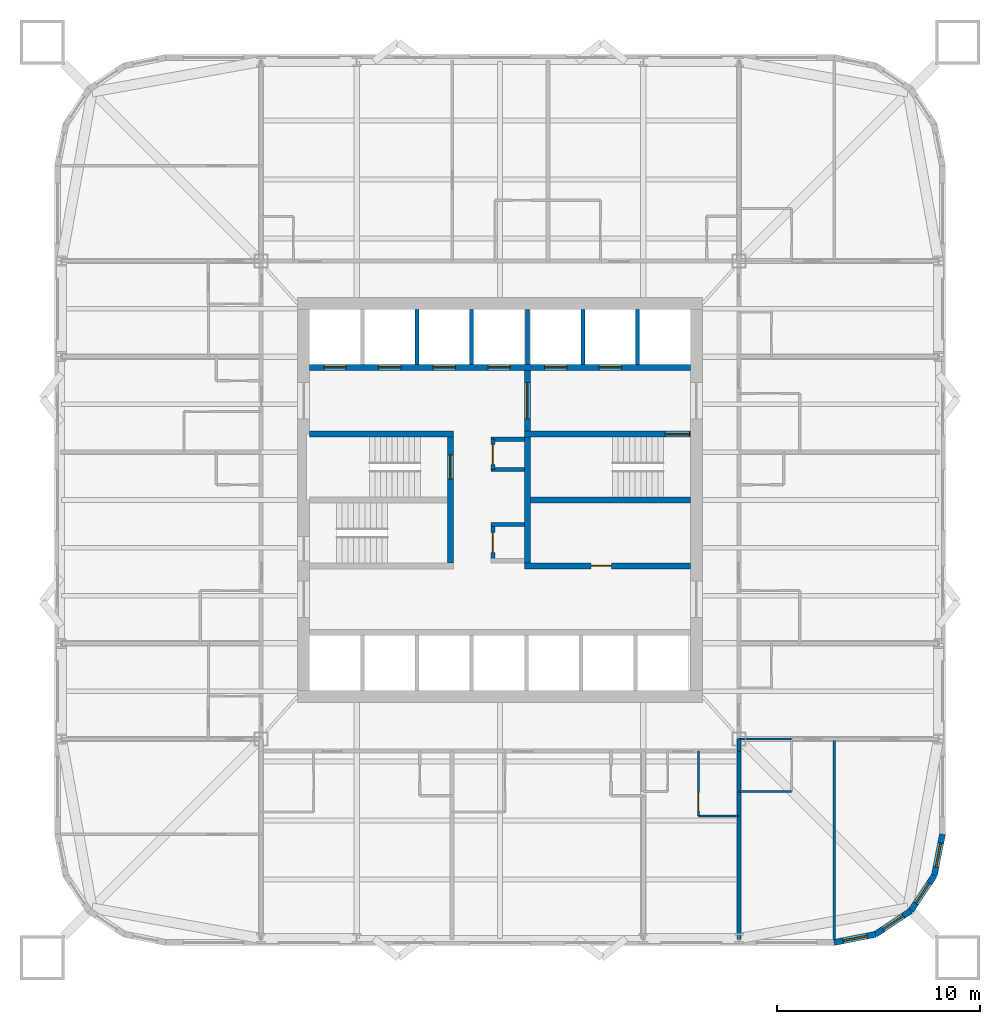
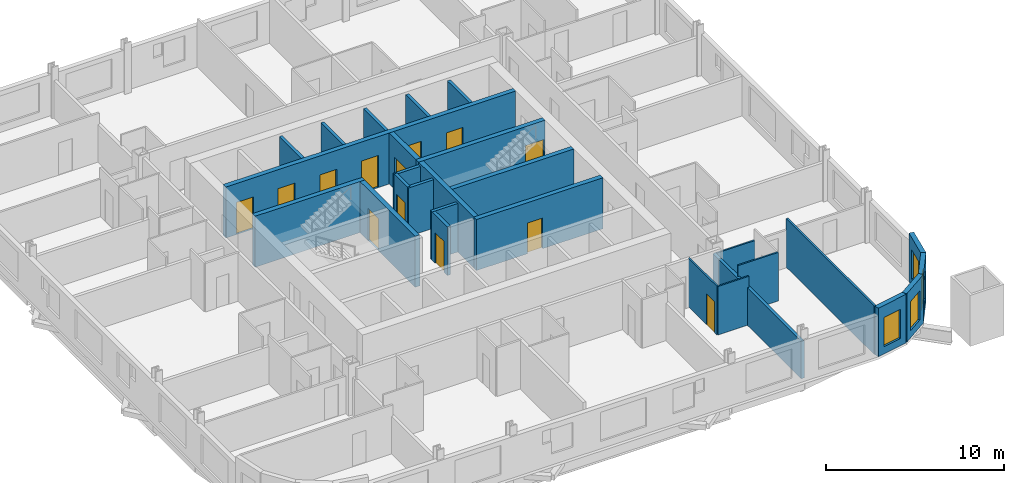
# One storey, part 5 of 10: 28 walls, 13 doors, 4 windows, 17 openings.
"""IFC4 building model written with IfcOpenShell, lengths in metres."""

from ifc_helpers import new_model, si_unit, direction, frame, frame_2d, origin, place, context, subcontext, project, spatial, rectangle, extrude, material, layer, layer_set, type_object, element, fill, save


model = new_model("IFC4")

# Units and contexts
model_context = context("Model", 3, precision=1e-05, world=origin(), true_north=direction((0.0, 1.0)))
body_context = subcontext(model_context, "Body", "Model", "MODEL_VIEW")
ifc_project = project(units=[si_unit("LENGTHUNIT", "METRE"), si_unit("AREAUNIT", "SQUARE_METRE"), si_unit("VOLUMEUNIT", "CUBIC_METRE"), si_unit("PLANEANGLEUNIT", "RADIAN"), si_unit("MASSUNIT", "GRAM", prefix="KILO")], contexts=[model_context])

# Site, building, storey
site_placement = place(None, origin())
site = spatial("IfcSite", under=ifc_project, at=site_placement, CompositionType="ELEMENT")
building_placement = place(site_placement, origin())
building = spatial("IfcBuilding", under=site, at=building_placement, Name="Turquesa Mirador Hotel Tower", CompositionType="ELEMENT")
storey_placement = place(building_placement, frame((0.0, 0.0, 63.5)))
storey = spatial("IfcBuildingStorey", under=building, at=storey_placement, Name="L16", CompositionType="ELEMENT", Elevation=63.5)

# Walls
ifc_material_1 = material(Name="Gypsum board on steel studs", Category="steel")
ifc_layer_1 = layer(ifc_material_1, 0.10009765625)
ifc_layer_set_1 = layer_set([ifc_layer_1], Name="BATHROOM WALL 100")
wall_type_1 = type_object("IfcWallType", Name="BATHROOM WALL 100", PredefinedType="PARTITIONING", material=ifc_layer_set_1)
wall_1_placement = place(storey_placement, frame((66.800048828125, 33.199951171875, 0.0), z_axis=(0.0, 0.0, 1.0), x_axis=(1.0, 0.0, 0.0)))
element("IfcWall", 1, at=wall_1_placement, inside=storey, type_object=wall_type_1, Name="Partition L16 001", PredefinedType="PARTITIONING", context=body_context, shape_type="SweptSolid", body=[
    extrude(rectangle(XDim=2.599853515625, YDim=0.10009765625, at=frame_2d((1.2998046875, 0.0))), origin(), (0.0, 0.0, 1.0), 2.572998046875),
])
wall_2_placement = place(storey_placement, frame((66.800048828125, 30.60009765625, 0.0), z_axis=(0.0, 0.0, 1.0), x_axis=(1.0, 0.0, 0.0)))
element("IfcWall", 2, at=wall_2_placement, inside=storey, type_object=wall_type_1, Name="Partition L16 006", PredefinedType="PARTITIONING", context=body_context, shape_type="SweptSolid", body=[
    extrude(rectangle(XDim=2.599853515625, YDim=0.10009765625, at=frame_2d((1.2998046875, 0.0))), origin(), (0.0, 0.0, 1.0), 3.330078125),
])
wall_3_placement = place(storey_placement, frame((64.800048828125, 29.39990234375, 0.0), z_axis=(0.0, 0.0, 1.0), x_axis=(1.0, 0.0, 0.0)))
element("IfcWall", 3, at=wall_3_placement, inside=storey, type_object=wall_type_1, Name="Partition L16 011", PredefinedType="PARTITIONING", context=body_context, shape_type="SweptSolid", body=[
    extrude(rectangle(XDim=2.0, YDim=0.10009765625, at=frame_2d((1.0, 0.0))), origin(), (0.0, 0.0, 1.0), 3.330078125),
])

# Wall, opening, door
wall_4_placement = place(storey_placement, frame((64.800048828125, 29.39990234375, 0.0), z_axis=(0.0, 0.0, 1.0), x_axis=(0.0, 1.0, 0.0)))
wall_4 = element("IfcWall", 4, at=wall_4_placement, inside=storey, type_object=wall_type_1, Name="Partition L16 076", PredefinedType="PARTITIONING", context=body_context, shape_type="SweptSolid", body=[
    extrude(rectangle(XDim=3.2001953125, YDim=0.10009765625, at=frame_2d((1.60009765625, 0.0))), origin(), (0.0, 0.0, 1.0), 3.330078125),
])
opening_1_placement = place(wall_4_placement, frame((0.25, 0.0, 0.0)))
opening_1 = element("IfcOpeningElement", 5, at=opening_1_placement, cuts=wall_4, Name="Opening D02", PredefinedType="OPENING", context=body_context, shape_type="SweptSolid", body=[
    extrude(rectangle(XDim=0.89990234375, YDim=2.10009765625, at=frame_2d((0.449951171875, 1.050048828125))), frame((0.0, 0.06005859375, 0.0), z_axis=(0.0, -1.0, 0.0), x_axis=(1.0, 0.0, 0.0)), (0.0, 0.0, 1.0), 0.1201171875),
])
ifc_material_2 = material(Name="Timber veneered door", Category="wood")
door_type_1 = type_object("IfcDoorType", Name="DOOR 900X2100 EN-SUITE", OperationType="SINGLE_SWING_RIGHT", PredefinedType="DOOR", material=ifc_material_2)
door_1_placement = place(opening_1_placement, origin())
door_1 = element("IfcDoor", 6, at=door_1_placement, inside=storey, type_object=door_type_1, Name="Door 1605B", OperationType="SINGLE_SWING_RIGHT", OverallHeight=2.10009765625, OverallWidth=0.89990234375, PredefinedType="DOOR", context=body_context, shape_type="SweptSolid", body=[
    extrude(rectangle(XDim=0.89990234375, YDim=2.10009765625, at=frame_2d((0.449951171875, 1.050048828125))), frame((0.0, 0.02490234375, 0.0), z_axis=(0.0, -1.0, 0.0), x_axis=(1.0, 0.0, 0.0)), (0.0, 0.0, 1.0), 0.050048828125),
])
fill(opening_1, door_1)

# Wall, openings, doors
ifc_material_3 = material(Name="Concrete C50/60", Category="concrete")
ifc_layer_2 = layer(ifc_material_3, 0.300048828125)
ifc_layer_set_2 = layer_set([ifc_layer_2], Name="CORE INNER WALL 300")
wall_type_2 = type_object("IfcWallType", Name="CORE INNER WALL 300", PredefinedType="SHEAR", material=ifc_layer_set_2)
wall_5_placement = place(storey_placement, frame((45.60009765625, 51.550048828125, 0.0), z_axis=(0.0, 0.0, 1.0), x_axis=(1.0, 0.0, 0.0)))
wall_5 = element("IfcWall", 7, at=wall_5_placement, inside=storey, type_object=wall_type_2, Name="Core wall NL", PredefinedType="SHEAR", context=body_context, shape_type="SweptSolid", body=[
    extrude(rectangle(XDim=18.7998046875, YDim=0.300048828125, at=frame_2d((9.39990234375, 0.0))), origin(), (0.0, 0.0, 1.0), 3.5),
])
opening_2_placement = place(wall_5_placement, frame((0.699951171875, 0.0, 0.0)))
opening_2 = element("IfcOpeningElement", 8, at=opening_2_placement, cuts=wall_5, Name="Opening LD", PredefinedType="OPENING", context=body_context, shape_type="SweptSolid", body=[
    extrude(rectangle(XDim=1.10009765625, YDim=2.199951171875, at=frame_2d((0.550048828125, 1.10009765625))), frame((0.0, 0.159912109375, 0.0), z_axis=(0.0, -1.0, 0.0), x_axis=(1.0, 0.0, 0.0)), (0.0, 0.0, 1.0), 0.320068359375),
])
opening_3_placement = place(wall_5_placement, frame((3.39990234375, 0.0, 0.0)))
opening_3 = element("IfcOpeningElement", 9, at=opening_3_placement, cuts=wall_5, Name="Opening LD", PredefinedType="OPENING", context=body_context, shape_type="SweptSolid", body=[
    extrude(rectangle(XDim=1.10009765625, YDim=2.199951171875, at=frame_2d((0.550048828125, 1.10009765625))), frame((0.0, 0.159912109375, 0.0), z_axis=(0.0, -1.0, 0.0), x_axis=(1.0, 0.0, 0.0)), (0.0, 0.0, 1.0), 0.320068359375),
])
opening_4_placement = place(wall_5_placement, frame((6.10009765625, 0.0, 0.0)))
opening_4 = element("IfcOpeningElement", 10, at=opening_4_placement, cuts=wall_5, Name="Opening LD", PredefinedType="OPENING", context=body_context, shape_type="SweptSolid", body=[
    extrude(rectangle(XDim=1.10009765625, YDim=2.199951171875, at=frame_2d((0.550048828125, 1.10009765625))), frame((0.0, 0.159912109375, 0.0), z_axis=(0.0, -1.0, 0.0), x_axis=(1.0, 0.0, 0.0)), (0.0, 0.0, 1.0), 0.320068359375),
])
opening_5_placement = place(wall_5_placement, frame((8.800048828125, 0.0, 0.0)))
opening_5 = element("IfcOpeningElement", 11, at=opening_5_placement, cuts=wall_5, Name="Opening LD", PredefinedType="OPENING", context=body_context, shape_type="SweptSolid", body=[
    extrude(rectangle(XDim=1.10009765625, YDim=2.199951171875, at=frame_2d((0.550048828125, 1.10009765625))), frame((0.0, 0.159912109375, 0.0), z_axis=(0.0, -1.0, 0.0), x_axis=(1.0, 0.0, 0.0)), (0.0, 0.0, 1.0), 0.320068359375),
])
opening_6_placement = place(wall_5_placement, frame((11.60009765625, 0.0, 0.0)))
opening_6 = element("IfcOpeningElement", 12, at=opening_6_placement, cuts=wall_5, Name="Opening LD", PredefinedType="OPENING", context=body_context, shape_type="SweptSolid", body=[
    extrude(rectangle(XDim=1.10009765625, YDim=2.199951171875, at=frame_2d((0.550048828125, 1.10009765625))), frame((0.0, 0.159912109375, 0.0), z_axis=(0.0, -1.0, 0.0), x_axis=(1.0, 0.0, 0.0)), (0.0, 0.0, 1.0), 0.320068359375),
])
opening_7_placement = place(wall_5_placement, frame((14.300048828125, 0.0, 0.0)))
opening_7 = element("IfcOpeningElement", 13, at=opening_7_placement, cuts=wall_5, Name="Opening LD", PredefinedType="OPENING", context=body_context, shape_type="SweptSolid", body=[
    extrude(rectangle(XDim=1.10009765625, YDim=2.199951171875, at=frame_2d((0.550048828125, 1.10009765625))), frame((0.0, 0.159912109375, 0.0), z_axis=(0.0, -1.0, 0.0), x_axis=(1.0, 0.0, 0.0)), (0.0, 0.0, 1.0), 0.320068359375),
])
ifc_material_4 = material(Name="Stainless steel lift landing door", Category="steel")
door_type_2 = type_object("IfcDoorType", Name="LIFT LANDING DOOR 1100X2200", OperationType="SLIDING_TO_LEFT", PredefinedType="DOOR", material=ifc_material_4)
door_2_placement = place(opening_2_placement, origin())
door_2 = element("IfcDoor", 14, at=door_2_placement, inside=storey, type_object=door_type_2, Name="Lift A1 landing door", OperationType="SLIDING_TO_LEFT", OverallHeight=2.199951171875, OverallWidth=1.10009765625, PredefinedType="DOOR", context=body_context, shape_type="SweptSolid", body=[
    extrude(rectangle(XDim=1.10009765625, YDim=2.199951171875, at=frame_2d((0.550048828125, 1.10009765625))), frame((0.0, 0.02490234375, 0.0), z_axis=(0.0, -1.0, 0.0), x_axis=(1.0, 0.0, 0.0)), (0.0, 0.0, 1.0), 0.050048828125),
])
fill(opening_2, door_2)
door_3_placement = place(opening_3_placement, origin())
door_3 = element("IfcDoor", 15, at=door_3_placement, inside=storey, type_object=door_type_2, Name="Lift A2 landing door", OperationType="SLIDING_TO_LEFT", OverallHeight=2.199951171875, OverallWidth=1.10009765625, PredefinedType="DOOR", context=body_context, shape_type="SweptSolid", body=[
    extrude(rectangle(XDim=1.10009765625, YDim=2.199951171875, at=frame_2d((0.550048828125, 1.10009765625))), frame((0.0, 0.02490234375, 0.0), z_axis=(0.0, -1.0, 0.0), x_axis=(1.0, 0.0, 0.0)), (0.0, 0.0, 1.0), 0.050048828125),
])
fill(opening_3, door_3)
door_4_placement = place(opening_4_placement, origin())
door_4 = element("IfcDoor", 16, at=door_4_placement, inside=storey, type_object=door_type_2, Name="Lift A3 landing door", OperationType="SLIDING_TO_LEFT", OverallHeight=2.199951171875, OverallWidth=1.10009765625, PredefinedType="DOOR", context=body_context, shape_type="SweptSolid", body=[
    extrude(rectangle(XDim=1.10009765625, YDim=2.199951171875, at=frame_2d((0.550048828125, 1.10009765625))), frame((0.0, 0.02490234375, 0.0), z_axis=(0.0, -1.0, 0.0), x_axis=(1.0, 0.0, 0.0)), (0.0, 0.0, 1.0), 0.050048828125),
])
fill(opening_4, door_4)
door_5_placement = place(opening_5_placement, origin())
door_5 = element("IfcDoor", 17, at=door_5_placement, inside=storey, type_object=door_type_2, Name="Lift A4 landing door", OperationType="SLIDING_TO_LEFT", OverallHeight=2.199951171875, OverallWidth=1.10009765625, PredefinedType="DOOR", context=body_context, shape_type="SweptSolid", body=[
    extrude(rectangle(XDim=1.10009765625, YDim=2.199951171875, at=frame_2d((0.550048828125, 1.10009765625))), frame((0.0, 0.02490234375, 0.0), z_axis=(0.0, -1.0, 0.0), x_axis=(1.0, 0.0, 0.0)), (0.0, 0.0, 1.0), 0.050048828125),
])
fill(opening_5, door_5)
door_6_placement = place(opening_6_placement, origin())
door_6 = element("IfcDoor", 18, at=door_6_placement, inside=storey, type_object=door_type_2, Name="Lift S1 landing door", OperationType="SLIDING_TO_LEFT", OverallHeight=2.199951171875, OverallWidth=1.10009765625, PredefinedType="DOOR", context=body_context, shape_type="SweptSolid", body=[
    extrude(rectangle(XDim=1.10009765625, YDim=2.199951171875, at=frame_2d((0.550048828125, 1.10009765625))), frame((0.0, 0.02490234375, 0.0), z_axis=(0.0, -1.0, 0.0), x_axis=(1.0, 0.0, 0.0)), (0.0, 0.0, 1.0), 0.050048828125),
])
fill(opening_6, door_6)
door_7_placement = place(opening_7_placement, origin())
door_7 = element("IfcDoor", 19, at=door_7_placement, inside=storey, type_object=door_type_2, Name="Lift S2 landing door", OperationType="SLIDING_TO_LEFT", OverallHeight=2.199951171875, OverallWidth=1.10009765625, PredefinedType="DOOR", context=body_context, shape_type="SweptSolid", body=[
    extrude(rectangle(XDim=1.10009765625, YDim=2.199951171875, at=frame_2d((0.550048828125, 1.10009765625))), frame((0.0, 0.02490234375, 0.0), z_axis=(0.0, -1.0, 0.0), x_axis=(1.0, 0.0, 0.0)), (0.0, 0.0, 1.0), 0.050048828125),
])
fill(opening_7, door_7)

# Wall
wall_6_placement = place(storey_placement, frame((45.60009765625, 48.25, 0.0), z_axis=(0.0, 0.0, 1.0), x_axis=(1.0, 0.0, 0.0)))
element("IfcWall", 20, at=wall_6_placement, inside=storey, type_object=wall_type_2, Name="Core wall MN-W", PredefinedType="SHEAR", context=body_context, shape_type="SweptSolid", body=[
    extrude(rectangle(XDim=7.099853515625, YDim=0.300048828125, at=frame_2d((3.5498046875, 0.0))), origin(), (0.0, 0.0, 1.0), 3.5),
])

# Wall, opening, door
wall_7_placement = place(storey_placement, frame((56.199951171875, 48.25, 0.0), z_axis=(0.0, 0.0, 1.0), x_axis=(1.0, 0.0, 0.0)))
wall_7 = element("IfcWall", 21, at=wall_7_placement, inside=storey, type_object=wall_type_2, Name="Core wall MN-E", PredefinedType="SHEAR", context=body_context, shape_type="SweptSolid", body=[
    extrude(rectangle(XDim=8.199951171875, YDim=0.300048828125, at=frame_2d((4.10009765625, 0.0))), origin(), (0.0, 0.0, 1.0), 3.5),
])
opening_8_placement = place(wall_7_placement, frame((6.949951171875, 0.0, 0.0)))
opening_8 = element("IfcOpeningElement", 22, at=opening_8_placement, cuts=wall_7, Name="Opening D03", PredefinedType="OPENING", context=body_context, shape_type="SweptSolid", body=[
    extrude(rectangle(XDim=1.199951171875, YDim=2.199951171875, at=frame_2d((0.60009765625, 1.10009765625))), frame((0.0, 0.159912109375, 0.0), z_axis=(0.0, -1.0, 0.0), x_axis=(1.0, 0.0, 0.0)), (0.0, 0.0, 1.0), 0.320068359375),
])
ifc_material_5 = material(Name="Steel fire door", Category="steel")
door_type_3 = type_object("IfcDoorType", Name="DOOR 1200X2200 STAIR", OperationType="SINGLE_SWING_LEFT", PredefinedType="DOOR", material=ifc_material_5)
door_8_placement = place(opening_8_placement, origin())
door_8 = element("IfcDoor", 23, at=door_8_placement, inside=storey, type_object=door_type_3, Name="Stair ST3 door", OperationType="SINGLE_SWING_LEFT", OverallHeight=2.199951171875, OverallWidth=1.199951171875, PredefinedType="DOOR", context=body_context, shape_type="SweptSolid", body=[
    extrude(rectangle(XDim=1.199951171875, YDim=2.199951171875, at=frame_2d((0.60009765625, 1.10009765625))), frame((0.0, 0.02490234375, 0.0), z_axis=(0.0, -1.0, 0.0), x_axis=(1.0, 0.0, 0.0)), (0.0, 0.0, 1.0), 0.050048828125),
])
fill(opening_8, door_8)

wall_8_placement = place(storey_placement, frame((56.199951171875, 41.75, 0.0), z_axis=(0.0, 0.0, 1.0), x_axis=(1.0, 0.0, 0.0)))
wall_8 = element("IfcWall", 24, at=wall_8_placement, inside=storey, type_object=wall_type_2, Name="Core wall MS-E", PredefinedType="SHEAR", context=body_context, shape_type="SweptSolid", body=[
    extrude(rectangle(XDim=8.199951171875, YDim=0.300048828125, at=frame_2d((4.10009765625, 0.0))), origin(), (0.0, 0.0, 1.0), 3.5),
])
opening_9_placement = place(wall_8_placement, frame((3.300048828125, 0.0, 0.0)))
opening_9 = element("IfcOpeningElement", 25, at=opening_9_placement, cuts=wall_8, Name="Opening D05", PredefinedType="OPENING", context=body_context, shape_type="SweptSolid", body=[
    extrude(rectangle(XDim=1.0, YDim=2.10009765625, at=frame_2d((0.5, 1.050048828125))), frame((0.0, 0.159912109375, 0.0), z_axis=(0.0, -1.0, 0.0), x_axis=(1.0, 0.0, 0.0)), (0.0, 0.0, 1.0), 0.320068359375),
])
ifc_material_6 = material(Name="Steel fire door", Category="steel")
door_type_4 = type_object("IfcDoorType", Name="DOOR 1000X2100 SERVICE", OperationType="SINGLE_SWING_LEFT", PredefinedType="DOOR", material=ifc_material_6)
door_9_placement = place(opening_9_placement, origin())
door_9 = element("IfcDoor", 26, at=door_9_placement, inside=storey, type_object=door_type_4, Name="Housekeeping room door", OperationType="SINGLE_SWING_LEFT", OverallHeight=2.10009765625, OverallWidth=1.0, PredefinedType="DOOR", context=body_context, shape_type="SweptSolid", body=[
    extrude(rectangle(XDim=1.0, YDim=2.10009765625, at=frame_2d((0.5, 1.050048828125))), frame((0.0, 0.02490234375, 0.0), z_axis=(0.0, -1.0, 0.0), x_axis=(1.0, 0.0, 0.0)), (0.0, 0.0, 1.0), 0.050048828125),
])
fill(opening_9, door_9)

wall_9_placement = place(storey_placement, frame((52.550048828125, 41.89990234375, 0.0), z_axis=(0.0, 0.0, 1.0), x_axis=(0.0, 1.0, 0.0)))
wall_9 = element("IfcWall", 27, at=wall_9_placement, inside=storey, type_object=wall_type_2, Name="Core wall PW", PredefinedType="SHEAR", context=body_context, shape_type="SweptSolid", body=[
    extrude(rectangle(XDim=6.2001953125, YDim=0.300048828125, at=frame_2d((3.10009765625, 0.0))), origin(), (0.0, 0.0, 1.0), 3.5),
])
opening_10_placement = place(wall_9_placement, frame((4.125, 0.0, 0.0)))
opening_10 = element("IfcOpeningElement", 28, at=opening_10_placement, cuts=wall_9, Name="Opening D03", PredefinedType="OPENING", context=body_context, shape_type="SweptSolid", body=[
    extrude(rectangle(XDim=1.199951171875, YDim=2.199951171875, at=frame_2d((0.60009765625, 1.10009765625))), frame((0.0, 0.159912109375, 0.0), z_axis=(0.0, -1.0, 0.0), x_axis=(1.0, 0.0, 0.0)), (0.0, 0.0, 1.0), 0.320068359375),
])
door_10_placement = place(opening_10_placement, origin())
door_10 = element("IfcDoor", 29, at=door_10_placement, inside=storey, type_object=door_type_3, Name="Stair ST1 door", OperationType="SINGLE_SWING_LEFT", OverallHeight=2.199951171875, OverallWidth=1.199951171875, PredefinedType="DOOR", context=body_context, shape_type="SweptSolid", body=[
    extrude(rectangle(XDim=1.199951171875, YDim=2.199951171875, at=frame_2d((0.60009765625, 1.10009765625))), frame((0.0, 0.02490234375, 0.0), z_axis=(0.0, -1.0, 0.0), x_axis=(1.0, 0.0, 0.0)), (0.0, 0.0, 1.0), 0.050048828125),
])
fill(opening_10, door_10)

wall_10_placement = place(storey_placement, frame((56.35009765625, 41.89990234375, 0.0), z_axis=(0.0, 0.0, 1.0), x_axis=(0.0, 1.0, 0.0)))
wall_10 = element("IfcWall", 30, at=wall_10_placement, inside=storey, type_object=wall_type_2, Name="Core wall PE", PredefinedType="SHEAR", context=body_context, shape_type="SweptSolid", body=[
    extrude(rectangle(XDim=9.5, YDim=0.300048828125, at=frame_2d((4.75, 0.0))), origin(), (0.0, 0.0, 1.0), 3.5),
])
opening_11_placement = place(wall_10_placement, frame((7.10009765625, 0.0, 0.0)))
opening_11 = element("IfcOpeningElement", 31, at=opening_11_placement, cuts=wall_10, Name="Opening D04", PredefinedType="OPENING", context=body_context, shape_type="SweptSolid", body=[
    extrude(rectangle(XDim=1.800048828125, YDim=2.199951171875, at=frame_2d((0.89990234375, 1.10009765625))), frame((0.0, 0.159912109375, 0.0), z_axis=(0.0, -1.0, 0.0), x_axis=(1.0, 0.0, 0.0)), (0.0, 0.0, 1.0), 0.320068359375),
])
ifc_material_7 = material(Name="Steel fire door pair", Category="steel")
door_type_5 = type_object("IfcDoorType", Name="DOOR 1800X2200 PAIR", OperationType="DOUBLE_DOOR_SINGLE_SWING", PredefinedType="DOOR", material=ifc_material_7)
door_11_placement = place(opening_11_placement, origin())
door_11 = element("IfcDoor", 32, at=door_11_placement, inside=storey, type_object=door_type_5, Name="Firefighting lobby inner door", OperationType="DOUBLE_DOOR_SINGLE_SWING", OverallHeight=2.199951171875, OverallWidth=1.800048828125, PredefinedType="DOOR", context=body_context, shape_type="SweptSolid", body=[
    extrude(rectangle(XDim=1.800048828125, YDim=2.199951171875, at=frame_2d((0.89990234375, 1.10009765625))), frame((0.0, 0.02490234375, 0.0), z_axis=(0.0, -1.0, 0.0), x_axis=(1.0, 0.0, 0.0)), (0.0, 0.0, 1.0), 0.050048828125),
])
fill(opening_11, door_11)

# Walls
wall_11_placement = place(storey_placement, frame((56.5, 45.0, 0.0), z_axis=(0.0, 0.0, 1.0), x_axis=(1.0, 0.0, 0.0)))
element("IfcWall", 33, at=wall_11_placement, inside=storey, type_object=wall_type_2, Name="Core wall M0-E", PredefinedType="SHEAR", context=body_context, shape_type="SweptSolid", body=[
    extrude(rectangle(XDim=7.89990234375, YDim=0.300048828125, at=frame_2d((3.949951171875, 0.0))), origin(), (0.0, 0.0, 1.0), 3.5),
])
ifc_material_8 = material(Name="Fire-rated gypsum board on steel studs", Category="steel")
ifc_layer_3 = layer(ifc_material_8, 0.199951171875)
ifc_layer_set_3 = layer_set([ifc_layer_3], Name="CORRIDOR WALL 200")
wall_type_3 = type_object("IfcWallType", Name="CORRIDOR WALL 200", PredefinedType="PARTITIONING", material=ifc_layer_set_3)
wall_12_placement = place(storey_placement, frame((66.800048828125, 32.60009765625, 0.0), z_axis=(0.0, 0.0, 1.0), x_axis=(0.0, 1.0, 0.0)))
element("IfcWall", 34, at=wall_12_placement, inside=storey, type_object=wall_type_3, Name="Partition L16 078", PredefinedType="PARTITIONING", context=body_context, shape_type="SweptSolid", body=[
    extrude(rectangle(XDim=0.619873046875, YDim=0.199951171875, at=frame_2d((0.31005859375, 0.0))), origin(), (0.0, 0.0, 1.0), 2.572998046875),
])

# Wall, opening, window
ifc_material_9 = material(Name="Limestone cladding on concrete block", Category="masonry")
ifc_layer_4 = layer(ifc_material_9, 0.300048828125)
ifc_layer_set_4 = layer_set([ifc_layer_4], Name="FACADE WALL 300 STONE SCREEN")
wall_type_4 = type_object("IfcWallType", Name="FACADE WALL 300 STONE SCREEN", PredefinedType="SOLIDWALL", material=ifc_layer_set_4)
wall_13_placement = place(storey_placement, frame((71.5, 23.14990234375, 0.0), z_axis=(0.0, 0.0, 1.0), x_axis=(0.980787050784, 0.195081421501, 0.0)))
wall_13 = element("IfcWall", 35, at=wall_13_placement, inside=storey, type_object=wall_type_4, Name="Facade wall L16 00", PredefinedType="SOLIDWALL", context=body_context, shape_type="SweptSolid", body=[
    extrude(rectangle(XDim=2.08740234375, YDim=0.300048828125, at=frame_2d((1.043701171875, 0.0))), origin(), (0.0, 0.0, 1.0), 3.330078125),
])
opening_12_placement = place(wall_13_placement, frame((0.443603515625, 0.0, 0.5)))
opening_12 = element("IfcOpeningElement", 36, at=opening_12_placement, cuts=wall_13, Name="Opening WN4", PredefinedType="OPENING", context=body_context, shape_type="SweptSolid", body=[
    extrude(rectangle(XDim=1.199951171875, YDim=2.0, at=frame_2d((0.60009765625, 1.0))), frame((0.0, 0.159912109375, 0.0), z_axis=(0.0, -1.0, 0.0), x_axis=(1.0, 0.0, 0.0)), (0.0, 0.0, 1.0), 0.320068359375),
])
ifc_material_10 = material(Name="Ceramic-fritted laminated glass", Category="glass")
window_type = type_object("IfcWindowType", Name="FRITTED CORNER WINDOW 1200X2000", PartitioningType="DOUBLE_PANEL_HORIZONTAL", PredefinedType="WINDOW", material=ifc_material_10)
window_1_placement = place(opening_12_placement, origin())
window_1 = element("IfcWindow", 37, at=window_1_placement, inside=storey, type_object=window_type, Name="Window L16", OverallHeight=2.0, OverallWidth=1.199951171875, PartitioningType="SINGLE_PANEL", PredefinedType="WINDOW", context=body_context, shape_type="SweptSolid", body=[
    extrude(rectangle(XDim=1.199951171875, YDim=2.0, at=frame_2d((0.60009765625, 1.0))), frame((0.0, 0.030029296875, 0.0), z_axis=(0.0, -1.0, 0.0), x_axis=(1.0, 0.0, 0.0)), (0.0, 0.0, 1.0), 0.06005859375),
])
fill(opening_12, window_1)

wall_14_placement = place(storey_placement, frame((73.54736328125, 23.55712890625, 0.0), z_axis=(0.0, 0.0, 1.0), x_axis=(0.831420010345, 0.555644460423, 0.0)))
wall_14 = element("IfcWall", 38, at=wall_14_placement, inside=storey, type_object=wall_type_4, Name="Facade wall L16 01", PredefinedType="SOLIDWALL", context=body_context, shape_type="SweptSolid", body=[
    extrude(rectangle(XDim=2.08740234375, YDim=0.300048828125, at=frame_2d((1.043701171875, 0.0))), origin(), (0.0, 0.0, 1.0), 3.330078125),
])
opening_13_placement = place(wall_14_placement, frame((0.443603515625, 0.0, 0.5)))
opening_13 = element("IfcOpeningElement", 39, at=opening_13_placement, cuts=wall_14, Name="Opening WN4", PredefinedType="OPENING", context=body_context, shape_type="SweptSolid", body=[
    extrude(rectangle(XDim=1.199951171875, YDim=2.0, at=frame_2d((0.60009765625, 1.0))), frame((0.0, 0.159912109375, 0.0), z_axis=(0.0, -1.0, 0.0), x_axis=(1.0, 0.0, 0.0)), (0.0, 0.0, 1.0), 0.320068359375),
])
window_2_placement = place(opening_13_placement, origin())
window_2 = element("IfcWindow", 40, at=window_2_placement, inside=storey, type_object=window_type, Name="Window L16", OverallHeight=2.0, OverallWidth=1.199951171875, PartitioningType="SINGLE_PANEL", PredefinedType="WINDOW", context=body_context, shape_type="SweptSolid", body=[
    extrude(rectangle(XDim=1.199951171875, YDim=2.0, at=frame_2d((0.60009765625, 1.0))), frame((0.0, 0.030029296875, 0.0), z_axis=(0.0, -1.0, 0.0), x_axis=(1.0, 0.0, 0.0)), (0.0, 0.0, 1.0), 0.06005859375),
])
fill(opening_13, window_2)

wall_15_placement = place(storey_placement, frame((75.282958984375, 24.717041015625, 0.0), z_axis=(0.0, 0.0, 1.0), x_axis=(0.555644460423, 0.831420010345, 0.0)))
wall_15 = element("IfcWall", 41, at=wall_15_placement, inside=storey, type_object=wall_type_4, Name="Facade wall L16 02", PredefinedType="SOLIDWALL", context=body_context, shape_type="SweptSolid", body=[
    extrude(rectangle(XDim=2.08740234375, YDim=0.300048828125, at=frame_2d((1.043701171875, 0.0))), origin(), (0.0, 0.0, 1.0), 3.330078125),
])
opening_14_placement = place(wall_15_placement, frame((0.443603515625, 0.0, 0.5)))
opening_14 = element("IfcOpeningElement", 42, at=opening_14_placement, cuts=wall_15, Name="Opening WN4", PredefinedType="OPENING", context=body_context, shape_type="SweptSolid", body=[
    extrude(rectangle(XDim=1.199951171875, YDim=2.0, at=frame_2d((0.60009765625, 1.0))), frame((0.0, 0.159912109375, 0.0), z_axis=(0.0, -1.0, 0.0), x_axis=(1.0, 0.0, 0.0)), (0.0, 0.0, 1.0), 0.320068359375),
])
window_3_placement = place(opening_14_placement, origin())
window_3 = element("IfcWindow", 43, at=window_3_placement, inside=storey, type_object=window_type, Name="Window L16", OverallHeight=2.0, OverallWidth=1.199951171875, PartitioningType="SINGLE_PANEL", PredefinedType="WINDOW", context=body_context, shape_type="SweptSolid", body=[
    extrude(rectangle(XDim=1.199951171875, YDim=2.0, at=frame_2d((0.60009765625, 1.0))), frame((0.0, 0.030029296875, 0.0), z_axis=(0.0, -1.0, 0.0), x_axis=(1.0, 0.0, 0.0)), (0.0, 0.0, 1.0), 0.06005859375),
])
fill(opening_14, window_3)

wall_16_placement = place(storey_placement, frame((76.44287109375, 26.45263671875, 0.0), z_axis=(0.0, 0.0, 1.0), x_axis=(0.195081421501, 0.980787050784, 0.0)))
wall_16 = element("IfcWall", 44, at=wall_16_placement, inside=storey, type_object=wall_type_4, Name="Facade wall L16 03", PredefinedType="SOLIDWALL", context=body_context, shape_type="SweptSolid", body=[
    extrude(rectangle(XDim=2.08740234375, YDim=0.300048828125, at=frame_2d((1.043701171875, 0.0))), origin(), (0.0, 0.0, 1.0), 3.330078125),
])
opening_15_placement = place(wall_16_placement, frame((0.443603515625, 0.0, 0.5)))
opening_15 = element("IfcOpeningElement", 45, at=opening_15_placement, cuts=wall_16, Name="Opening WN4", PredefinedType="OPENING", context=body_context, shape_type="SweptSolid", body=[
    extrude(rectangle(XDim=1.199951171875, YDim=2.0, at=frame_2d((0.60009765625, 1.0))), frame((0.0, 0.159912109375, 0.0), z_axis=(0.0, -1.0, 0.0), x_axis=(1.0, 0.0, 0.0)), (0.0, 0.0, 1.0), 0.320068359375),
])
window_4_placement = place(opening_15_placement, origin())
window_4 = element("IfcWindow", 46, at=window_4_placement, inside=storey, type_object=window_type, Name="Window L16", OverallHeight=2.0, OverallWidth=1.199951171875, PartitioningType="SINGLE_PANEL", PredefinedType="WINDOW", context=body_context, shape_type="SweptSolid", body=[
    extrude(rectangle(XDim=1.199951171875, YDim=2.0, at=frame_2d((0.60009765625, 1.0))), frame((0.0, 0.030029296875, 0.0), z_axis=(0.0, -1.0, 0.0), x_axis=(1.0, 0.0, 0.0)), (0.0, 0.0, 1.0), 0.06005859375),
])
fill(opening_15, window_4)

# Wall, opening, door
ifc_material_11 = material(Name="Fire-rated gypsum board on steel studs", Category="steel")
ifc_layer_5 = layer(ifc_material_11, 0.199951171875)
ifc_layer_set_5 = layer_set([ifc_layer_5], Name="FIRE PARTITION 200")
wall_type_5 = type_object("IfcWallType", Name="FIRE PARTITION 200", PredefinedType="PARTITIONING", material=ifc_layer_set_5)
wall_17_placement = place(storey_placement, frame((54.64990234375, 42.0, 0.0), z_axis=(0.0, 0.0, 1.0), x_axis=(0.0, 1.0, 0.0)))
wall_17 = element("IfcWall", 47, at=wall_17_placement, inside=storey, type_object=wall_type_5, Name="Partition L16 CM W", PredefinedType="PARTITIONING", context=body_context, shape_type="SweptSolid", body=[
    extrude(rectangle(XDim=1.800048828125, YDim=0.199951171875, at=frame_2d((0.89990234375, 0.0))), origin(), (0.0, 0.0, 1.0), 3.330078125),
])
opening_16_placement = place(wall_17_placement, frame((0.39990234375, 0.0, 0.0)))
opening_16 = element("IfcOpeningElement", 48, at=opening_16_placement, cuts=wall_17, Name="Opening D05", PredefinedType="OPENING", context=body_context, shape_type="SweptSolid", body=[
    extrude(rectangle(XDim=1.0, YDim=2.10009765625, at=frame_2d((0.5, 1.050048828125))), frame((0.0, 0.10986328125, 0.0), z_axis=(0.0, -1.0, 0.0), x_axis=(1.0, 0.0, 0.0)), (0.0, 0.0, 1.0), 0.219970703125),
])
door_12_placement = place(opening_16_placement, origin())
door_12 = element("IfcDoor", 49, at=door_12_placement, inside=storey, type_object=door_type_4, Name="Comms room door", OperationType="SINGLE_SWING_LEFT", OverallHeight=2.10009765625, OverallWidth=1.0, PredefinedType="DOOR", context=body_context, shape_type="SweptSolid", body=[
    extrude(rectangle(XDim=1.0, YDim=2.10009765625, at=frame_2d((0.5, 1.050048828125))), frame((0.0, 0.02490234375, 0.0), z_axis=(0.0, -1.0, 0.0), x_axis=(1.0, 0.0, 0.0)), (0.0, 0.0, 1.0), 0.050048828125),
])
fill(opening_16, door_12)

# Wall
wall_18_placement = place(storey_placement, frame((54.550048828125, 43.800048828125, 0.0), z_axis=(0.0, 0.0, 1.0), x_axis=(1.0, 0.0, 0.0)))
element("IfcWall", 50, at=wall_18_placement, inside=storey, type_object=wall_type_5, Name="Partition L16 CM N", PredefinedType="PARTITIONING", context=body_context, shape_type="SweptSolid", body=[
    extrude(rectangle(XDim=1.64990234375, YDim=0.199951171875, at=frame_2d((0.824951171875, 0.0))), origin(), (0.0, 0.0, 1.0), 3.330078125),
])

# Wall, opening, door
wall_19_placement = place(storey_placement, frame((54.64990234375, 46.5, 0.0), z_axis=(0.0, 0.0, 1.0), x_axis=(0.0, 1.0, 0.0)))
wall_19 = element("IfcWall", 51, at=wall_19_placement, inside=storey, type_object=wall_type_5, Name="Partition L16 CL W", PredefinedType="PARTITIONING", context=body_context, shape_type="SweptSolid", body=[
    extrude(rectangle(XDim=1.5, YDim=0.199951171875, at=frame_2d((0.75, 0.0))), origin(), (0.0, 0.0, 1.0), 3.330078125),
])
opening_17_placement = place(wall_19_placement, frame((0.25, 0.0, 0.0)))
opening_17 = element("IfcOpeningElement", 52, at=opening_17_placement, cuts=wall_19, Name="Opening D05", PredefinedType="OPENING", context=body_context, shape_type="SweptSolid", body=[
    extrude(rectangle(XDim=1.0, YDim=2.10009765625, at=frame_2d((0.5, 1.050048828125))), frame((0.0, 0.10986328125, 0.0), z_axis=(0.0, -1.0, 0.0), x_axis=(1.0, 0.0, 0.0)), (0.0, 0.0, 1.0), 0.219970703125),
])
door_13_placement = place(opening_17_placement, origin())
door_13 = element("IfcDoor", 53, at=door_13_placement, inside=storey, type_object=door_type_4, Name="Cleaner's cupboard door", OperationType="SINGLE_SWING_LEFT", OverallHeight=2.10009765625, OverallWidth=1.0, PredefinedType="DOOR", context=body_context, shape_type="SweptSolid", body=[
    extrude(rectangle(XDim=1.0, YDim=2.10009765625, at=frame_2d((0.5, 1.050048828125))), frame((0.0, 0.02490234375, 0.0), z_axis=(0.0, -1.0, 0.0), x_axis=(1.0, 0.0, 0.0)), (0.0, 0.0, 1.0), 0.050048828125),
])
fill(opening_17, door_13)

# Walls
for number, where, z_axis, x_axis, name in (
    (54, (54.550048828125, 46.5, 0.0), (0.0, 0.0, 1.0), (1.0, 0.0, 0.0), "Partition L16 CL S"),
    (55, (54.550048828125, 48.0, 0.0), (0.0, 0.0, 1.0), (1.0, 0.0, 0.0), "Partition L16 CL N"),
):
    element("IfcWall", number, at=place(storey_placement, frame(where, z_axis=z_axis, x_axis=x_axis)), inside=storey, type_object=wall_type_5, Name=name, PredefinedType="PARTITIONING", context=body_context, shape_type="SweptSolid", body=[
        extrude(rectangle(XDim=1.64990234375, YDim=0.199951171875, at=frame_2d((0.824951171875, 0.0))), origin(), (0.0, 0.0, 1.0), 3.330078125),
    ])
ifc_material_12 = material(Name="Fire-rated gypsum shaft wall on steel studs", Category="steel")
ifc_layer_6 = layer(ifc_material_12, 0.199951171875)
ifc_layer_set_6 = layer_set([ifc_layer_6], Name="LIFT SHAFT DIVIDER 200")
wall_type_6 = type_object("IfcWallType", Name="LIFT SHAFT DIVIDER 200", PredefinedType="PARTITIONING", material=ifc_layer_set_6)
for number, where, z_axis, x_axis, name in (
    (56, (50.89990234375, 51.699951171875, 0.0), (0.0, 0.0, 1.0), (0.0, 1.0, 0.0), "Lift shaft divider"),
    (57, (53.60009765625, 51.699951171875, 0.0), (0.0, 0.0, 1.0), (0.0, 1.0, 0.0), "Lift shaft divider"),
    (58, (59.10009765625, 51.699951171875, 0.0), (0.0, 0.0, 1.0), (0.0, 1.0, 0.0), "Lift shaft divider"),
    (59, (61.800048828125, 51.699951171875, 0.0), (0.0, 0.0, 1.0), (0.0, 1.0, 0.0), "Lift shaft divider"),
    (60, (56.35009765625, 51.699951171875, 0.0), (0.0, 0.0, 1.0), (0.0, 1.0, 0.0), "Lift shaft divider"),
):
    element("IfcWall", number, at=place(storey_placement, frame(where, z_axis=z_axis, x_axis=x_axis)), inside=storey, type_object=wall_type_6, Name=name, PredefinedType="PARTITIONING", context=body_context, shape_type="SweptSolid", body=[
        extrude(rectangle(XDim=2.699951171875, YDim=0.199951171875, at=frame_2d((1.35009765625, 0.0))), origin(), (0.0, 0.0, 1.0), 3.330078125),
    ])
ifc_material_13 = material(Name="Fire-rated gypsum board on steel studs", Category="steel")
ifc_layer_7 = layer(ifc_material_13, 0.199951171875)
ifc_layer_set_7 = layer_set([ifc_layer_7], Name="PARTY WALL 200")
wall_type_7 = type_object("IfcWallType", Name="PARTY WALL 200", PredefinedType="PARTITIONING", material=ifc_layer_set_7)
wall_20_placement = place(storey_placement, frame((66.800048828125, 23.300048828125, 0.0), z_axis=(0.0, 0.0, 1.0), x_axis=(0.0, 1.0, 0.0)))
element("IfcWall", 61, at=wall_20_placement, inside=storey, type_object=wall_type_7, Name="Partition L16 059", PredefinedType="PARTITIONING", context=body_context, shape_type="SweptSolid", body=[
    extrude(rectangle(XDim=9.300048828125, YDim=0.199951171875, at=frame_2d((4.64990234375, 0.0))), origin(), (0.0, 0.0, 1.0), 2.572998046875),
])
ifc_material_14 = material(Name="Acoustic gypsum board on steel studs", Category="steel")
ifc_layer_8 = layer(ifc_material_14, 0.125)
ifc_layer_set_8 = layer_set([ifc_layer_8], Name="SUITE PARTITION 125")
wall_type_8 = type_object("IfcWallType", Name="SUITE PARTITION 125", PredefinedType="PARTITIONING", material=ifc_layer_set_8)
wall_21_placement = place(storey_placement, frame((71.5, 23.305908203125, 0.0), z_axis=(0.0, 0.0, 1.0), x_axis=(0.0, 1.0, 0.0)))
element("IfcWall", 62, at=wall_21_placement, inside=storey, type_object=wall_type_8, Name="Partition L16 068", PredefinedType="PARTITIONING", context=body_context, shape_type="SweptSolid", body=[
    extrude(rectangle(XDim=9.89404296875, YDim=0.125, at=frame_2d((4.947021484375, 0.0))), origin(), (0.0, 0.0, 1.0), 3.330078125),
])

save(model, "model.ifc")
